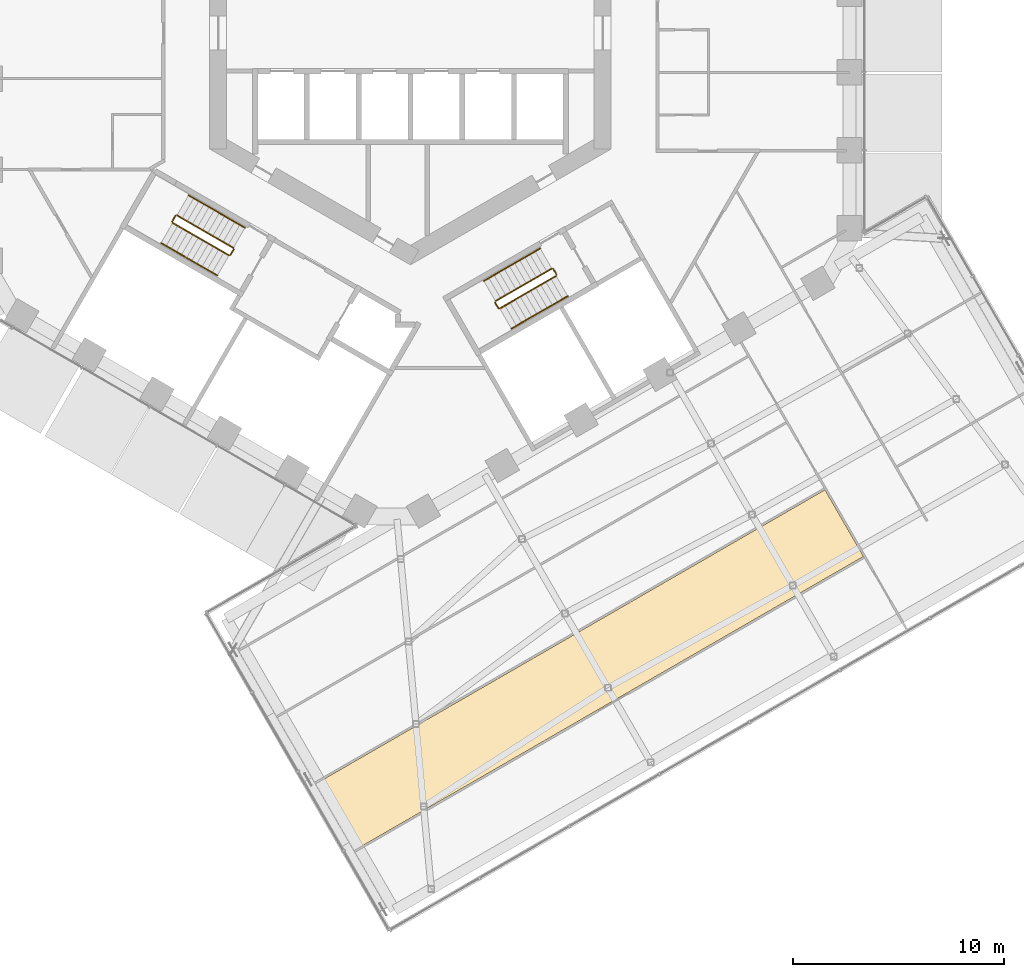
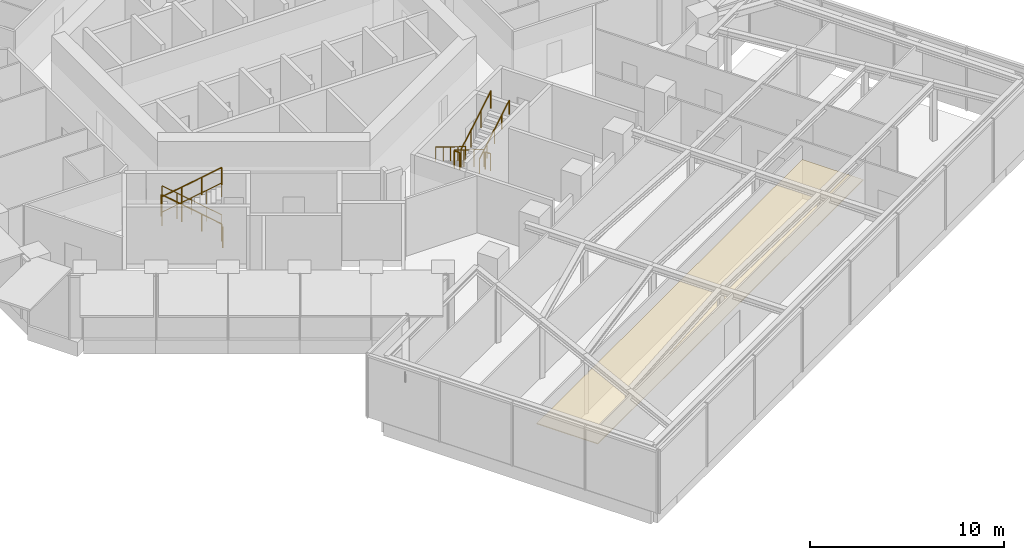
# One storey, part 26 of 28: 16 railings, 1 covering.
"""IFC4 building model written with IfcOpenShell, lengths in metres."""

from ifc_helpers import new_model, si_unit, direction, frame, origin, origin_2d, place, context, subcontext, project, spatial, polyline, circle, outline, extrude, material, layer, layer_set, type_object, element, save


model = new_model("IFC4")

# Units and contexts
model_context = context("Model", 3, precision=1e-05, world=origin(), true_north=direction((0.0, 1.0)))
body_context = subcontext(model_context, "Body", "Model", "MODEL_VIEW")
ifc_project = project(units=[si_unit("LENGTHUNIT", "METRE"), si_unit("AREAUNIT", "SQUARE_METRE"), si_unit("VOLUMEUNIT", "CUBIC_METRE"), si_unit("PLANEANGLEUNIT", "RADIAN"), si_unit("MASSUNIT", "GRAM", prefix="KILO")], contexts=[model_context])

# Site, building, storey
site_placement = place(None, origin())
site = spatial("IfcSite", under=ifc_project, at=site_placement, CompositionType="ELEMENT")
building_placement = place(site_placement, origin())
building = spatial("IfcBuilding", under=site, at=building_placement, Name="Ayvan Gate Tower", CompositionType="ELEMENT")
storey_placement = place(building_placement, frame((0.0, 0.0, 74.300048828125)))
storey = spatial("IfcBuildingStorey", under=building, at=storey_placement, Name="L19", CompositionType="ELEMENT", Elevation=74.300048828125)

# Covering
ifc_material_1 = material(Name="Plasterboard suspended ceiling")
ifc_layer = layer(ifc_material_1, 0.050048828125)
ifc_layer_set = layer_set([ifc_layer], Name="Plasterboard suspended ceiling")
covering_type = type_object("IfcCoveringType", Name="CT-SUSP-50", PredefinedType="CEILING", material=ifc_layer_set)
covering_placement = place(storey_placement, frame((0.0, 0.0, 2.39990234375)))
element("IfcCovering", 1, at=covering_placement, inside=storey, type_object=covering_type, Name="Ceiling Social Lounge L19", PredefinedType="CEILING", context=body_context, shape_type="SweptSolid", body=[
    extrude(outline(polyline([(21.440673828125, -24.770751953125), (-2.31689453125, -38.4873046875), (-4.1376953125, -35.333251953125), (19.61962890625, -21.616943359375), (21.440673828125, -24.770751953125)])), origin(), (0.0, 0.0, 1.0), 0.050048828125),
])

# Railings
ifc_material_2 = material(Name="Stainless steel balustrade", Category="steel")
railing_type_1 = type_object("IfcRailingType", Name="RL-GUARD-1100", PredefinedType="GUARDRAIL", material=ifc_material_2)
railing_1_placement = place(storey_placement, frame((-8.381103515625, -10.16650390625, 0.16650390625)))
element("IfcRailing", 2, at=railing_1_placement, inside=storey, type_object=railing_type_1, Name="L19 STS2 stair guard 1", PredefinedType="GUARDRAIL", context=body_context, shape_type="SweptSolid", body=[
    extrude(circle(Radius=0.02392578125, at=origin_2d()), frame((0.0, 0.0, 1.076171875), z_axis=(-0.7441639146, 0.429634447492, 0.511502013422), x_axis=(-0.499992328818, -0.866029832698, 0.0)), (0.0, 0.0, 1.0), 3.58447265625),
    extrude(circle(Radius=0.02099609375, at=origin_2d()), origin(), (0.0, 0.0, 1.0), 1.052001953125),
    extrude(circle(Radius=0.02099609375, at=origin_2d()), frame((-0.88916015625, 0.513427734375, 0.611083984375)), (0.0, 0.0, 1.0), 1.052001953125),
    extrude(circle(Radius=0.02099609375, at=origin_2d()), frame((-1.7783203125, 1.026611328125, 1.222412109375)), (0.0, 0.0, 1.0), 1.052001953125),
    extrude(circle(Radius=0.02099609375, at=origin_2d()), frame((-2.66748046875, 1.5400390625, 1.83349609375)), (0.0, 0.0, 1.0), 1.052001953125),
])
railing_2_placement = place(storey_placement, frame((-11.11669921875, -8.644775390625, 2.0)))
element("IfcRailing", 3, at=railing_2_placement, inside=storey, type_object=railing_type_1, Name="L19 STS2 stair guard 2", PredefinedType="GUARDRAIL", context=body_context, shape_type="SweptSolid", body=[
    extrude(circle(Radius=0.02392578125, at=origin_2d()), frame((0.0, 0.0, 1.076171875), z_axis=(-0.499949632511, -0.866054481515, 0.0), x_axis=(0.866054481515, -0.499949632511, 0.0)), (0.0, 0.0, 1.0), 0.31005859375),
    extrude(circle(Radius=0.02099609375, at=origin_2d()), origin(), (0.0, 0.0, 1.0), 1.052001953125),
    extrude(circle(Radius=0.02099609375, at=origin_2d()), frame((-0.155029296875, -0.2685546875, 0.0)), (0.0, 0.0, 1.0), 1.052001953125),
])
railing_3_placement = place(storey_placement, frame((-11.25341796875, -8.981689453125, 2.16650390625)))
element("IfcRailing", 4, at=railing_3_placement, inside=storey, type_object=railing_type_1, Name="L19 STS2 stair guard 3", PredefinedType="GUARDRAIL", context=body_context, shape_type="SweptSolid", body=[
    extrude(circle(Radius=0.02392578125, at=origin_2d()), frame((0.0, 0.0, 1.076171875), z_axis=(0.744155296881, -0.429600682602, 0.511542908886), x_axis=(0.499967199496, 0.866044340336, 0.0)), (0.0, 0.0, 1.0), 3.584228515625),
    extrude(circle(Radius=0.02099609375, at=origin_2d()), origin(), (0.0, 0.0, 1.0), 1.052001953125),
    extrude(circle(Radius=0.02099609375, at=origin_2d()), frame((0.88916015625, -0.51318359375, 0.611083984375)), (0.0, 0.0, 1.0), 1.052001953125),
    extrude(circle(Radius=0.02099609375, at=origin_2d()), frame((1.778076171875, -1.026611328125, 1.222412109375)), (0.0, 0.0, 1.0), 1.052001953125),
    extrude(circle(Radius=0.02099609375, at=origin_2d()), frame((2.667236328125, -1.539794921875, 1.83349609375)), (0.0, 0.0, 1.0), 1.052001953125),
])
railing_4_placement = place(storey_placement, frame((-8.36279296875, -10.23486328125, 0.0)))
element("IfcRailing", 5, at=railing_4_placement, inside=storey, type_object=railing_type_1, Name="L19 STS2 stair guard 4", PredefinedType="GUARDRAIL", context=body_context, shape_type="SweptSolid", body=[
    extrude(circle(Radius=0.02392578125, at=origin_2d()), frame((0.0, 0.0, 1.076171875), z_axis=(-0.500290723946, -0.86585748916, 0.0), x_axis=(0.86585748916, -0.500290723946, 0.0)), (0.0, 0.0, 1.0), 0.309814453125),
    extrude(circle(Radius=0.02099609375, at=origin_2d()), origin(), (0.0, 0.0, 1.0), 1.052001953125),
    extrude(circle(Radius=0.02099609375, at=origin_2d()), frame((-0.155029296875, -0.268310546875, 0.0)), (0.0, 0.0, 1.0), 1.052001953125),
])
railing_5_placement = place(storey_placement, frame((6.6923828125, -11.1416015625, 0.16650390625)))
element("IfcRailing", 6, at=railing_5_placement, inside=storey, type_object=railing_type_1, Name="L19 STS3 stair guard 1", PredefinedType="GUARDRAIL", context=body_context, shape_type="SweptSolid", body=[
    extrude(circle(Radius=0.02392578125, at=origin_2d()), frame((0.0, 0.0, 1.076171875), z_axis=(-0.74418568968, -0.429578907634, 0.511516980551), x_axis=(0.499932877268, -0.866064153644, 0.0)), (0.0, 0.0, 1.0), 3.58447265625),
    extrude(circle(Radius=0.02099609375, at=origin_2d()), origin(), (0.0, 0.0, 1.0), 1.052001953125),
    extrude(circle(Radius=0.02099609375, at=origin_2d()), frame((-0.88916015625, -0.51318359375, 0.611083984375)), (0.0, 0.0, 1.0), 1.052001953125),
    extrude(circle(Radius=0.02099609375, at=origin_2d()), frame((-1.7783203125, -1.026611328125, 1.222412109375)), (0.0, 0.0, 1.0), 1.052001953125),
    extrude(circle(Radius=0.02099609375, at=origin_2d()), frame((-2.66748046875, -1.539794921875, 1.83349609375)), (0.0, 0.0, 1.0), 1.052001953125),
])
railing_6_placement = place(storey_placement, frame((4.006591796875, -12.749755859375, 2.0)))
element("IfcRailing", 7, at=railing_6_placement, inside=storey, type_object=railing_type_1, Name="L19 STS3 stair guard 2", PredefinedType="GUARDRAIL", context=body_context, shape_type="SweptSolid", body=[
    extrude(circle(Radius=0.02392578125, at=origin_2d()), frame((0.0, 0.0, 1.076171875), z_axis=(0.499949632511, -0.866054481515, 0.0), x_axis=(0.866054481515, 0.499949632511, 0.0)), (0.0, 0.0, 1.0), 0.31005859375),
    extrude(circle(Radius=0.02099609375, at=origin_2d()), origin(), (0.0, 0.0, 1.0), 1.052001953125),
    extrude(circle(Radius=0.02099609375, at=origin_2d()), frame((0.155029296875, -0.2685546875, 0.0)), (0.0, 0.0, 1.0), 1.052001953125),
])
railing_7_placement = place(storey_placement, frame((4.22998046875, -13.03662109375, 2.16650390625)))
element("IfcRailing", 8, at=railing_7_placement, inside=storey, type_object=railing_type_1, Name="L19 STS3 stair guard 3", PredefinedType="GUARDRAIL", context=body_context, shape_type="SweptSolid", body=[
    extrude(circle(Radius=0.02392578125, at=origin_2d()), frame((0.0, 0.0, 1.076171875), z_axis=(0.7441639146, 0.429634447492, 0.511502013422), x_axis=(-0.499992328818, 0.866029832698, 0.0)), (0.0, 0.0, 1.0), 3.58447265625),
    extrude(circle(Radius=0.02099609375, at=origin_2d()), origin(), (0.0, 0.0, 1.0), 1.052001953125),
    extrude(circle(Radius=0.02099609375, at=origin_2d()), frame((0.88916015625, 0.513427734375, 0.611083984375)), (0.0, 0.0, 1.0), 1.052001953125),
    extrude(circle(Radius=0.02099609375, at=origin_2d()), frame((1.7783203125, 1.026611328125, 1.222412109375)), (0.0, 0.0, 1.0), 1.052001953125),
    extrude(circle(Radius=0.02099609375, at=origin_2d()), frame((2.66748046875, 1.5400390625, 1.83349609375)), (0.0, 0.0, 1.0), 1.052001953125),
])
railing_8_placement = place(storey_placement, frame((6.7607421875, -11.159912109375, 0.0)))
element("IfcRailing", 9, at=railing_8_placement, inside=storey, type_object=railing_type_1, Name="L19 STS3 stair guard 4", PredefinedType="GUARDRAIL", context=body_context, shape_type="SweptSolid", body=[
    extrude(circle(Radius=0.02392578125, at=origin_2d()), frame((0.0, 0.0, 1.076171875), z_axis=(0.500290723946, -0.86585748916, 0.0), x_axis=(0.86585748916, 0.500290723946, 0.0)), (0.0, 0.0, 1.0), 0.309814453125),
    extrude(circle(Radius=0.02099609375, at=origin_2d()), origin(), (0.0, 0.0, 1.0), 1.052001953125),
    extrude(circle(Radius=0.02099609375, at=origin_2d()), frame((0.155029296875, -0.268310546875, 0.0)), (0.0, 0.0, 1.0), 1.052001953125),
])
railing_type_2 = type_object("IfcRailingType", Name="RL-HANDRAIL-900", PredefinedType="HANDRAIL", material=ifc_material_2)
for number, where, name in (
    (10, (-7.8310546875, -9.2138671875, 0.16650390625), "L19 STS2 stair handrail 1"),
    (11, (-9.164794921875, -8.44384765625, 1.083251953125), "L19 STS2 stair handrail 2"),
):
    element("IfcRailing", number, at=place(storey_placement, frame(where)), inside=storey, type_object=railing_type_2, Name=name, PredefinedType="HANDRAIL", context=body_context, shape_type="SweptSolid", body=[
        extrude(circle(Radius=0.02392578125, at=origin_2d()), frame((0.0, 0.0, 0.8759765625), z_axis=(-0.7441639146, 0.429634447492, 0.511502013422), x_axis=(-0.499992328818, -0.866029832698, 0.0)), (0.0, 0.0, 1.0), 1.792236328125),
        extrude(circle(Radius=0.02099609375, at=origin_2d()), origin(), (0.0, 0.0, 1.0), 0.851806640625),
        extrude(circle(Radius=0.02099609375, at=origin_2d()), frame((-0.6669921875, 0.385009765625, 0.45849609375)), (0.0, 0.0, 1.0), 0.851806640625),
        extrude(circle(Radius=0.02099609375, at=origin_2d()), frame((-1.333740234375, 0.77001953125, 0.916748046875)), (0.0, 0.0, 1.0), 0.851806640625),
    ])
for number, where, name in (
    (12, (-11.803466796875, -9.93408203125, 2.16650390625), "L19 STS2 stair handrail 3"),
    (13, (-10.4697265625, -10.7041015625, 3.083251953125), "L19 STS2 stair handrail 4"),
):
    element("IfcRailing", number, at=place(storey_placement, frame(where)), inside=storey, type_object=railing_type_2, Name=name, PredefinedType="HANDRAIL", context=body_context, shape_type="SweptSolid", body=[
        extrude(circle(Radius=0.02392578125, at=origin_2d()), frame((0.0, 0.0, 0.8759765625), z_axis=(0.7441639146, -0.429634447492, 0.511502013422), x_axis=(0.499992328818, 0.866029832698, 0.0)), (0.0, 0.0, 1.0), 1.792236328125),
        extrude(circle(Radius=0.02099609375, at=origin_2d()), origin(), (0.0, 0.0, 1.0), 0.851806640625),
        extrude(circle(Radius=0.02099609375, at=origin_2d()), frame((0.6669921875, -0.385009765625, 0.45849609375)), (0.0, 0.0, 1.0), 0.851806640625),
        extrude(circle(Radius=0.02099609375, at=origin_2d()), frame((1.333740234375, -0.77001953125, 0.916748046875)), (0.0, 0.0, 1.0), 0.851806640625),
    ])
railing_9_placement = place(storey_placement, frame((6.142333984375, -10.18896484375, 0.16650390625)))
element("IfcRailing", 14, at=railing_9_placement, inside=storey, type_object=railing_type_2, Name="L19 STS3 stair handrail 1", PredefinedType="HANDRAIL", context=body_context, shape_type="SweptSolid", body=[
    extrude(circle(Radius=0.02392578125, at=origin_2d()), frame((0.0, 0.0, 0.8759765625), z_axis=(-0.7441639146, -0.429634447492, 0.511502013422), x_axis=(0.499992328818, -0.866029832698, 0.0)), (0.0, 0.0, 1.0), 1.792236328125),
    extrude(circle(Radius=0.02099609375, at=origin_2d()), origin(), (0.0, 0.0, 1.0), 0.851806640625),
    extrude(circle(Radius=0.02099609375, at=origin_2d()), frame((-0.6669921875, -0.385009765625, 0.45849609375)), (0.0, 0.0, 1.0), 0.851806640625),
    extrude(circle(Radius=0.02099609375, at=origin_2d()), frame((-1.333740234375, -0.77001953125, 0.916748046875)), (0.0, 0.0, 1.0), 0.851806640625),
])
railing_10_placement = place(storey_placement, frame((4.80859375, -10.958984375, 1.083251953125)))
element("IfcRailing", 15, at=railing_10_placement, inside=storey, type_object=railing_type_2, Name="L19 STS3 stair handrail 2", PredefinedType="HANDRAIL", context=body_context, shape_type="SweptSolid", body=[
    extrude(circle(Radius=0.02392578125, at=origin_2d()), frame((0.0, 0.0, 0.8759765625), z_axis=(-0.744146675635, -0.429566911072, 0.511583809412), x_axis=(0.499942064311, -0.866058850386, 0.0)), (0.0, 0.0, 1.0), 1.7919921875),
    extrude(circle(Radius=0.02099609375, at=origin_2d()), origin(), (0.0, 0.0, 1.0), 0.851806640625),
    extrude(circle(Radius=0.02099609375, at=origin_2d()), frame((-0.666748046875, -0.384765625, 0.45849609375)), (0.0, 0.0, 1.0), 0.851806640625),
    extrude(circle(Radius=0.02099609375, at=origin_2d()), frame((-1.33349609375, -0.769775390625, 0.916748046875)), (0.0, 0.0, 1.0), 0.851806640625),
])
railing_11_placement = place(storey_placement, frame((4.780029296875, -13.9892578125, 2.16650390625)))
element("IfcRailing", 16, at=railing_11_placement, inside=storey, type_object=railing_type_2, Name="L19 STS3 stair handrail 3", PredefinedType="HANDRAIL", context=body_context, shape_type="SweptSolid", body=[
    extrude(circle(Radius=0.02392578125, at=origin_2d()), frame((0.0, 0.0, 0.8759765625), z_axis=(0.7441639146, 0.429634447492, 0.511502013422), x_axis=(-0.499992328818, 0.866029832698, 0.0)), (0.0, 0.0, 1.0), 1.792236328125),
    extrude(circle(Radius=0.02099609375, at=origin_2d()), origin(), (0.0, 0.0, 1.0), 0.851806640625),
    extrude(circle(Radius=0.02099609375, at=origin_2d()), frame((0.6669921875, 0.385009765625, 0.45849609375)), (0.0, 0.0, 1.0), 0.851806640625),
    extrude(circle(Radius=0.02099609375, at=origin_2d()), frame((1.333740234375, 0.77001953125, 0.916748046875)), (0.0, 0.0, 1.0), 0.851806640625),
])
railing_12_placement = place(storey_placement, frame((6.11376953125, -13.21923828125, 3.083251953125)))
element("IfcRailing", 17, at=railing_12_placement, inside=storey, type_object=railing_type_2, Name="L19 STS3 stair handrail 4", PredefinedType="HANDRAIL", context=body_context, shape_type="SweptSolid", body=[
    extrude(circle(Radius=0.02392578125, at=origin_2d()), frame((0.0, 0.0, 0.8759765625), z_axis=(0.744103121745, 0.429678001828, 0.51155386711), x_axis=(-0.500060979923, 0.865990194147, 0.0)), (0.0, 0.0, 1.0), 1.7919921875),
    extrude(circle(Radius=0.02099609375, at=origin_2d()), origin(), (0.0, 0.0, 1.0), 0.851806640625),
    extrude(circle(Radius=0.02099609375, at=origin_2d()), frame((0.666748046875, 0.385009765625, 0.45849609375)), (0.0, 0.0, 1.0), 0.851806640625),
    extrude(circle(Radius=0.02099609375, at=origin_2d()), frame((1.33349609375, 0.77001953125, 0.916748046875)), (0.0, 0.0, 1.0), 0.851806640625),
])

save(model, "model.ifc")
